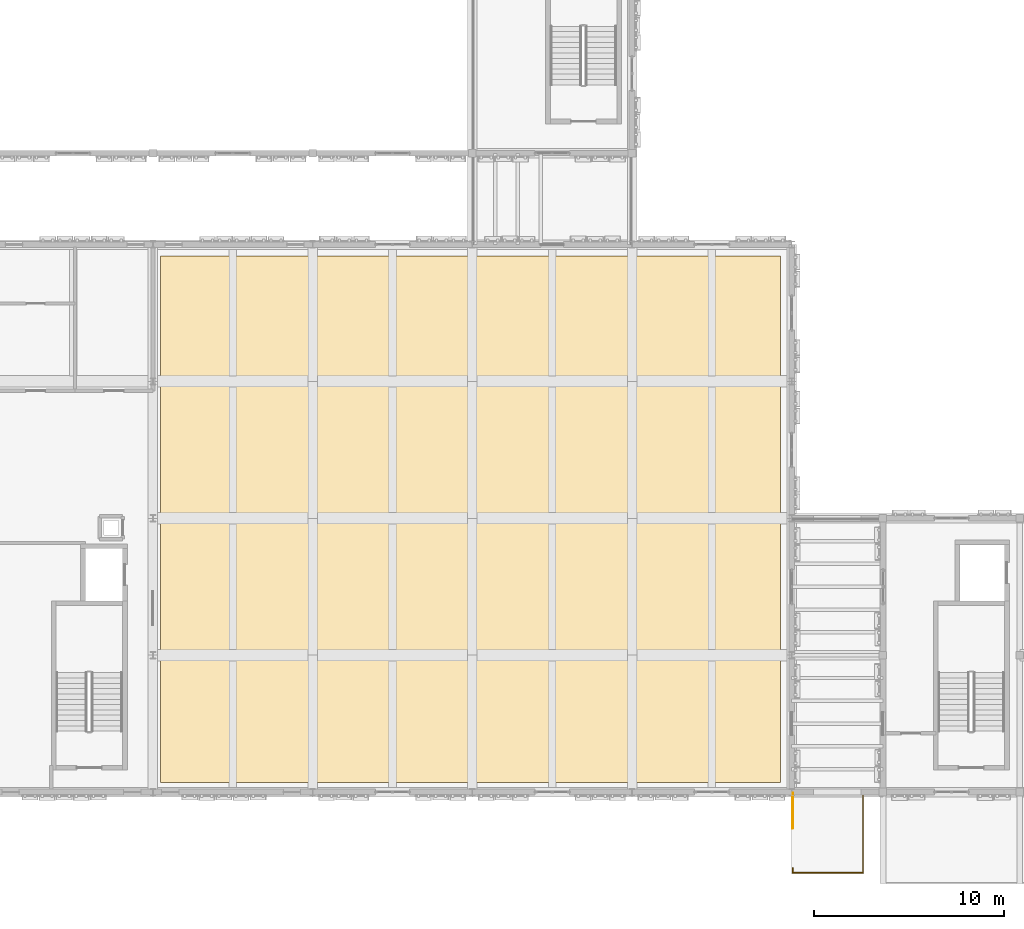
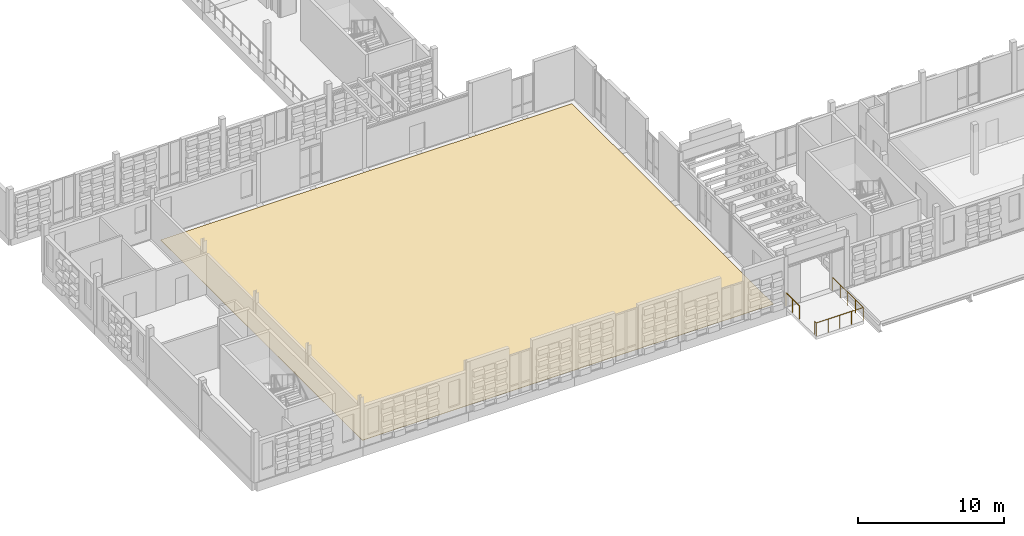
# One storey, part 89 of 99: 2 railings, 1 covering.
"""IFC4 building model written with IfcOpenShell, lengths in metres."""

from ifc_helpers import new_model, si_unit, direction, frame, origin, origin_2d, place, context, subcontext, project, spatial, polyline, circle, outline, extrude, material, layer, layer_set, type_object, element, save


model = new_model("IFC4")

# Units and contexts
model_context = context("Model", 3, precision=1e-05, world=origin(), true_north=direction((0.0, 1.0)))
body_context = subcontext(model_context, "Body", "Model", "MODEL_VIEW")
ifc_project = project(units=[si_unit("LENGTHUNIT", "METRE"), si_unit("AREAUNIT", "SQUARE_METRE"), si_unit("VOLUMEUNIT", "CUBIC_METRE"), si_unit("PLANEANGLEUNIT", "RADIAN"), si_unit("MASSUNIT", "GRAM", prefix="KILO")], contexts=[model_context])

# Site, building, storey
site_placement = place(None, origin())
site = spatial("IfcSite", under=ifc_project, at=site_placement, CompositionType="ELEMENT")
building_placement = place(site_placement, origin())
building = spatial("IfcBuilding", under=site, at=building_placement, Name="Kahlenmark Community Centre", CompositionType="ELEMENT")
storey_placement = place(building_placement, frame((0.0, 0.0, 5.39990234375)))
storey = spatial("IfcBuildingStorey", under=building, at=storey_placement, Name="L01", CompositionType="ELEMENT", Elevation=5.39990234375)

# Covering
ifc_material_1 = material(Name="Oiled European oak parquet flooring")
ifc_layer = layer(ifc_material_1, 0.02490234375)
ifc_layer_set = layer_set([ifc_layer], Name="Oiled European oak parquet flooring")
covering_type = type_object("IfcCoveringType", Name="CVT-FLR-OAK", PredefinedType="FLOORING", material=ifc_layer_set)
covering_placement = place(storey_placement, origin())
element("IfcCovering", 1, at=covering_placement, inside=storey, type_object=covering_type, Name="European oak parquet flooring 01", PredefinedType="FLOORING", context=body_context, shape_type="SweptSolid", body=[
    extrude(outline(polyline([(12.800048828125, 9.300048828125), (45.39990234375, 9.300048828125), (45.39990234375, 37.0), (12.800048828125, 37.0), (12.800048828125, 9.300048828125)])), origin(), (0.0, 0.0, 1.0), 0.025146484375),
])

# Railings
ifc_material_2 = material(Name="Powder-coated galvanized steel balustrade", Category="steel")
railing_type = type_object("IfcRailingType", Name="RLT-BAL-1120", PredefinedType="BALUSTRADE", material=ifc_material_2)
railing_1_placement = place(storey_placement, frame((46.050048828125, 6.89990234375, 0.0)))
element("IfcRailing", 2, at=railing_1_placement, inside=storey, type_object=railing_type, Name="Balustrade guard L01-002", PredefinedType="BALUSTRADE", context=body_context, shape_type="SweptSolid", body=[
    extrude(circle(Radius=0.02392578125, at=origin_2d()), frame((0.0, 0.0, 1.09619140625), z_axis=(0.0, 1.0, 0.0), x_axis=(-1.0, 0.0, 0.0)), (0.0, 0.0, 1.0), 1.85009765625),
    extrude(circle(Radius=0.02099609375, at=origin_2d()), origin(), (0.0, 0.0, 1.0), 1.072021484375),
    extrude(circle(Radius=0.02099609375, at=origin_2d()), frame((0.0, 0.925048828125, 0.0)), (0.0, 0.0, 1.0), 1.072021484375),
    extrude(circle(Radius=0.02099609375, at=origin_2d()), frame((0.0, 1.85009765625, 0.0)), (0.0, 0.0, 1.0), 1.072021484375),
])
railing_2_placement = place(storey_placement, frame((46.050048828125, 4.800048828125, 0.0)))
element("IfcRailing", 3, at=railing_2_placement, inside=storey, type_object=railing_type, Name="Balustrade guard L01-003", PredefinedType="BALUSTRADE", context=body_context, shape_type="SweptSolid", body=[
    extrude(circle(Radius=0.02392578125, at=origin_2d()), frame((0.0, 0.0, 1.09619140625), z_axis=(0.0, -1.0, 0.0), x_axis=(1.0, 0.0, 0.0)), (0.0, 0.0, 1.0), 0.25),
    extrude(circle(Radius=0.02392578125, at=origin_2d()), frame((0.0, -0.25, 1.09619140625), z_axis=(1.0, 0.0, 0.0), x_axis=(0.0, 1.0, 0.0)), (0.0, 0.0, 1.0), 3.699951171875),
    extrude(circle(Radius=0.02392578125, at=origin_2d()), frame((3.699951171875, -0.25, 1.09619140625), z_axis=(0.0, 1.0, 0.0), x_axis=(-1.0, 0.0, 0.0)), (0.0, 0.0, 1.0), 4.199951171875),
    extrude(circle(Radius=0.02099609375, at=origin_2d()), origin(), (0.0, 0.0, 1.0), 1.072021484375),
    extrude(circle(Radius=0.02099609375, at=origin_2d()), frame((0.0, -0.25, 0.0)), (0.0, 0.0, 1.0), 1.072021484375),
    extrude(circle(Radius=0.02099609375, at=origin_2d()), frame((0.925048828125, -0.25, 0.0)), (0.0, 0.0, 1.0), 1.072021484375),
    extrude(circle(Radius=0.02099609375, at=origin_2d()), frame((1.85009765625, -0.25, 0.0)), (0.0, 0.0, 1.0), 1.072021484375),
    extrude(circle(Radius=0.02099609375, at=origin_2d()), frame((2.77490234375, -0.25, 0.0)), (0.0, 0.0, 1.0), 1.072021484375),
    extrude(circle(Radius=0.02099609375, at=origin_2d()), frame((3.699951171875, -0.25, 0.0)), (0.0, 0.0, 1.0), 1.072021484375),
    extrude(circle(Radius=0.02099609375, at=origin_2d()), frame((3.699951171875, 0.800048828125, 0.0)), (0.0, 0.0, 1.0), 1.072021484375),
    extrude(circle(Radius=0.02099609375, at=origin_2d()), frame((3.699951171875, 1.85009765625, 0.0)), (0.0, 0.0, 1.0), 1.072021484375),
    extrude(circle(Radius=0.02099609375, at=origin_2d()), frame((3.699951171875, 2.89990234375, 0.0)), (0.0, 0.0, 1.0), 1.072021484375),
    extrude(circle(Radius=0.02099609375, at=origin_2d()), frame((3.699951171875, 3.949951171875, 0.0)), (0.0, 0.0, 1.0), 1.072021484375),
])

save(model, "model.ifc")
